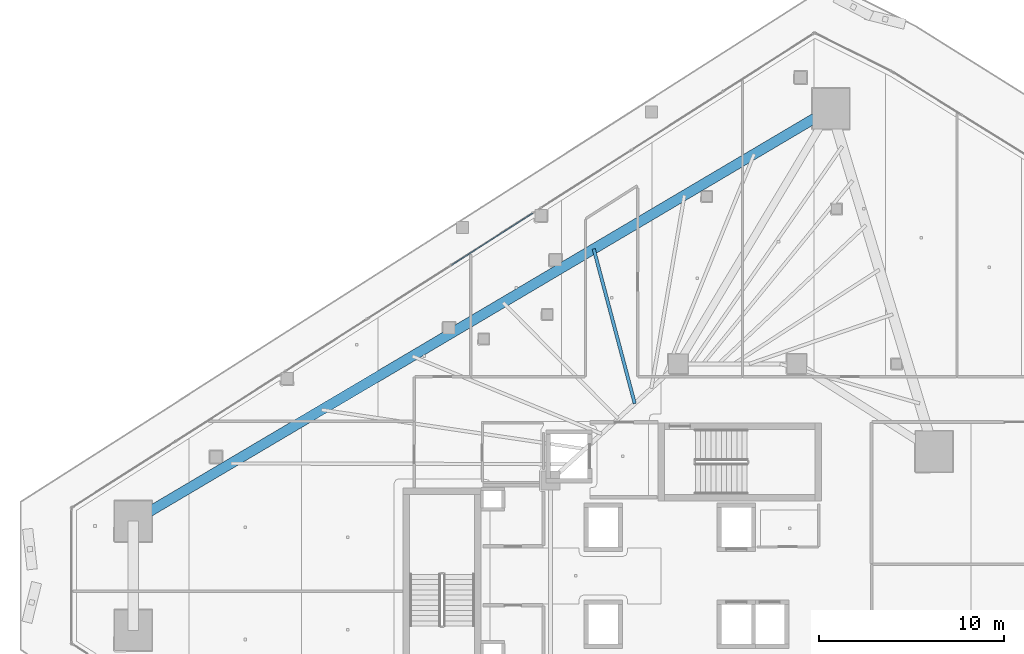
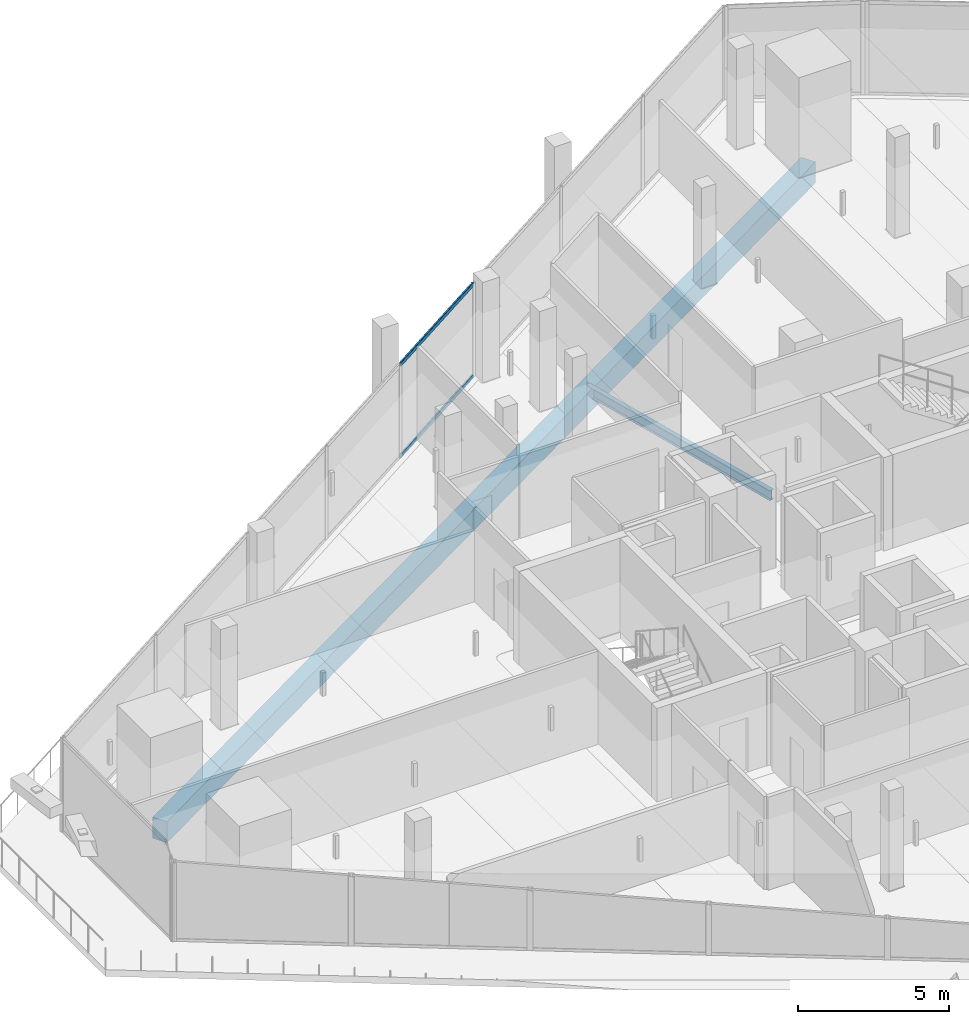
# One storey, part 17 of 38: 2 beams, 2 members, 1 element without a shape of its own.
"""IFC4 building model written with IfcOpenShell, lengths in metres."""

from ifc_helpers import new_model, si_unit, direction, frame, origin, origin_2d, place, context, subcontext, project, spatial, rectangle, hollow_rectangle, i_section, extrude, material, layer, layer_set, material_profile, profile_set, type_object, element, aggregate, save


model = new_model("IFC4")

# Units and contexts
model_context = context("Model", 3, precision=1e-05, world=origin(), true_north=direction((0.0, 1.0)))
body_context = subcontext(model_context, "Body", "Model", "MODEL_VIEW")
ifc_project = project(units=[si_unit("LENGTHUNIT", "METRE"), si_unit("AREAUNIT", "SQUARE_METRE"), si_unit("VOLUMEUNIT", "CUBIC_METRE"), si_unit("PLANEANGLEUNIT", "RADIAN"), si_unit("MASSUNIT", "GRAM", prefix="KILO")], contexts=[model_context])

# Site, building, storey
site_placement = place(None, origin())
site = spatial("IfcSite", under=ifc_project, at=site_placement, CompositionType="ELEMENT")
building_placement = place(site_placement, origin())
building = spatial("IfcBuilding", under=site, at=building_placement, Name="Qorvath Tower", CompositionType="ELEMENT")
storey_placement = place(building_placement, frame((0.0, 0.0, 158.39990234375)))
storey = spatial("IfcBuildingStorey", under=building, at=storey_placement, Name="L36", CompositionType="ELEMENT", Elevation=158.39990234375)

# Beams
ifc_material_1 = material(Name="Steel ASTM A992 Grade 50", Category="steel")
ifc_material_profile_1 = material_profile(ifc_material_1, i_section(OverallWidth=0.177978515625, OverallDepth=0.406005859375, WebThickness=0.0078125, FlangeThickness=0.0126953125, FilletRadius=0.010986328125, at=origin_2d()), Name="W16x40")
ifc_profile_set_1 = profile_set([ifc_material_profile_1], Name="Steel ASTM A992 Grade 50")
beam_type_1 = type_object("IfcBeamType", Name="BM-FJ3", PredefinedType="JOIST", material=ifc_profile_set_1)
beam_1_placement = place(storey_placement, frame((-25.946044921875, 9.30810546875, -0.472900390625), z_axis=(-0.256507909517, 0.966542131702, 0.0), x_axis=(-0.966542131702, -0.256507909517, 0.0)))
element("IfcBeam", 1, at=beam_1_placement, inside=storey, type_object=beam_type_1, Name="Composite Floor Joist NW5 L36", PredefinedType="JOIST", context=body_context, shape_type="SweptSolid", body=[
    extrude(i_section(OverallWidth=0.177978515625, OverallDepth=0.406005859375, WebThickness=0.0078125, FlangeThickness=0.0126953125, FilletRadius=0.010986328125, at=origin_2d()), origin(), (0.0, 0.0, 1.0), 8.64697265625),
])
ifc_material_2 = material(Name="Concrete C50/60", Category="concrete")
ifc_material_profile_2 = material_profile(ifc_material_2, rectangle(XDim=0.550048828125, YDim=0.85009765625, at=origin_2d()), Name="RCB 850x550")
ifc_profile_set_2 = profile_set([ifc_material_profile_2], Name="Concrete C50/60")
beam_type_2 = type_object("IfcBeamType", Name="BM-RCB2", PredefinedType="SPANDREL", material=ifc_profile_set_2)
beam_2_placement = place(storey_placement, frame((-15.34423828125, 25.24609375, -0.695068359375), z_axis=(-0.860775142889, -0.508985415689, 0.0), x_axis=(0.508985415689, -0.860775142889, 0.0)))
element("IfcBeam", 2, at=beam_2_placement, inside=storey, type_object=beam_type_2, Name="Perimeter Loggia Frame Beam MC6-MC1 L36", PredefinedType="SPANDREL", context=body_context, shape_type="SweptSolid", body=[
    extrude(rectangle(XDim=0.550048828125, YDim=0.85009765625, at=origin_2d()), origin(), (0.0, 0.0, 1.0), 43.8037109375),
])

# Curtain wall, members
ifc_material_3 = material(Name="Anodised aluminium and triple low-E glass", Category="aluminium")
ifc_layer = layer(ifc_material_3, 0.179931640625)
ifc_layer_set = layer_set([ifc_layer], Name="CW-SYS-5")
curtain_wall_type = type_object("IfcCurtainWallType", Name="CW-SYS-5", PredefinedType="NOTDEFINED", material=ifc_layer_set)
curtain_wall_placement = place(storey_placement, origin())
curtain_wall = element("IfcCurtainWall", 3, at=curtain_wall_placement, inside=storey, type_object=curtain_wall_type, Name="Curtain Wall CW-5 CW-T-L36-16.2", PredefinedType="NOTDEFINED")
ifc_material_4 = material(Name="Anodised aluminium 6063-T6", Category="aluminium")
ifc_material_profile_3 = material_profile(ifc_material_4, hollow_rectangle(XDim=0.06494140625, YDim=0.159912109375, WallThickness=0.00341796875, InnerFilletRadius=0.00341796875, OuterFilletRadius=0.007080078125, at=origin_2d()), Name="CWT 160x65")
ifc_profile_set_3 = profile_set([ifc_material_profile_3], Name="Anodised aluminium 6063-T6")
member_type = type_object("IfcMemberType", Name="CWT-160", PredefinedType="USERDEFINED", material=ifc_profile_set_3)
member_1_placement = place(storey_placement, frame((-31.44921875, 19.602294921875, 0.032470703125), z_axis=(-0.842595515544, -0.538546931275, 0.0), x_axis=(0.538546931275, -0.842595515544, 0.0)))
member_1 = element("IfcMember", 4, at=member_1_placement, type_object=member_type, Name="CW-5 transom 1.1", ObjectType="TRANSOM", PredefinedType="USERDEFINED", context=body_context, shape_type="SweptSolid", body=[
    extrude(hollow_rectangle(XDim=0.06494140625, YDim=0.159912109375, WallThickness=0.00341796875, InnerFilletRadius=0.00341796875, OuterFilletRadius=0.007080078125, at=origin_2d()), origin(), (0.0, 0.0, 1.0), 5.223388671875),
])
member_2_placement = place(storey_placement, frame((-31.44921875, 19.602294921875, 3.74755859375), z_axis=(-0.842595515544, -0.538546931275, 0.0), x_axis=(0.538546931275, -0.842595515544, 0.0)))
member_2 = element("IfcMember", 5, at=member_2_placement, type_object=member_type, Name="CW-5 transom 1.2", ObjectType="TRANSOM", PredefinedType="USERDEFINED", context=body_context, shape_type="SweptSolid", body=[
    extrude(hollow_rectangle(XDim=0.06494140625, YDim=0.159912109375, WallThickness=0.00341796875, InnerFilletRadius=0.00341796875, OuterFilletRadius=0.007080078125, at=origin_2d()), origin(), (0.0, 0.0, 1.0), 5.223388671875),
])
aggregate(curtain_wall, [member_1, member_2])

save(model, "model.ifc")
